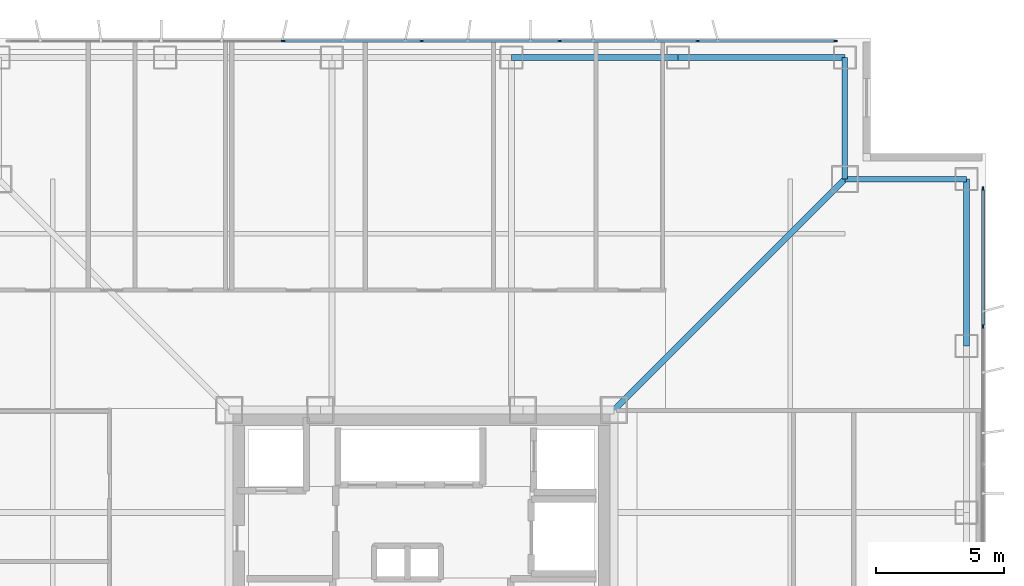
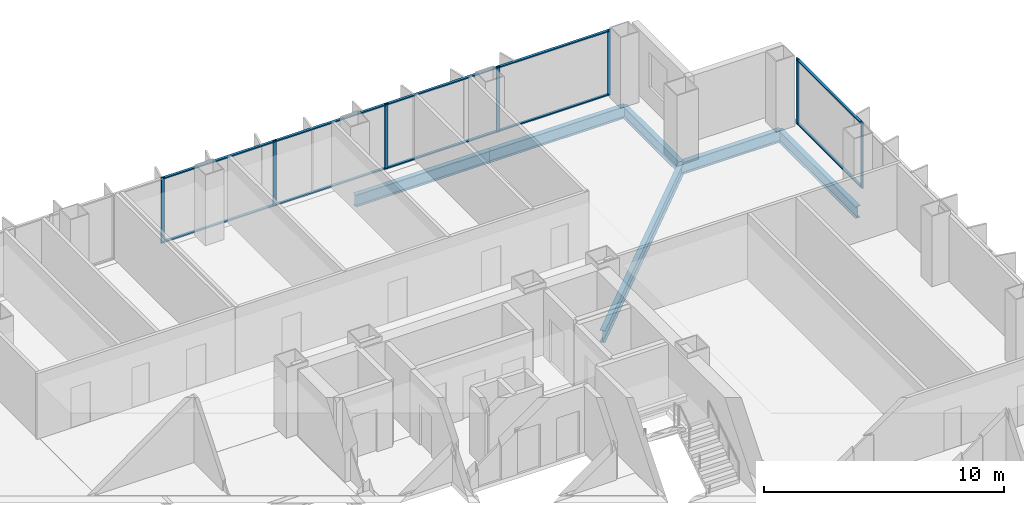
# One storey, part 11 of 18: 17 members, 6 beams, 2 elements without a shape of their own.
"""IFC4 building model written with IfcOpenShell, lengths in metres."""

from ifc_helpers import new_model, si_unit, direction, frame, origin, origin_2d, place, context, subcontext, project, spatial, rectangle, i_section, extrude, material, layer, layer_set, material_profile, profile_set, type_object, element, aggregate, save


model = new_model("IFC4")

# Units and contexts
model_context = context("Model", 3, precision=1e-05, world=origin(), true_north=direction((0.0, 1.0)))
body_context = subcontext(model_context, "Body", "Model", "MODEL_VIEW")
ifc_project = project(units=[si_unit("LENGTHUNIT", "METRE"), si_unit("AREAUNIT", "SQUARE_METRE"), si_unit("VOLUMEUNIT", "CUBIC_METRE"), si_unit("PLANEANGLEUNIT", "RADIAN"), si_unit("MASSUNIT", "GRAM", prefix="KILO")], contexts=[model_context])

# Site, building, storey
site_placement = place(None, origin())
site = spatial("IfcSite", under=ifc_project, at=site_placement, CompositionType="ELEMENT")
building_placement = place(site_placement, origin())
building = spatial("IfcBuilding", under=site, at=building_placement, Name="Trevonay Congress Spire", CompositionType="ELEMENT")
storey_placement = place(building_placement, frame((0.0, 0.0, 148.0)))
storey = spatial("IfcBuildingStorey", under=building, at=storey_placement, Name="L38", CompositionType="ELEMENT", Elevation=148.0)

# Beams
ifc_material_1 = material(Name="Steel ASTM A572 Grade 50", Category="steel")
ifc_material_profile_1 = material_profile(ifc_material_1, i_section(OverallWidth=0.22998046875, OverallDepth=0.616943359375, WebThickness=0.01318359375, FlangeThickness=0.022216796875, FilletRadius=0.01611328125, at=origin_2d()), Name="W610x140")
ifc_profile_set_1 = profile_set([ifc_material_profile_1], Name="Steel ASTM A572 Grade 50")
beam_type_1 = type_object("IfcBeamType", Name="BM-GIRD-W610X140", PredefinedType="BEAM", material=ifc_profile_set_1)
beam_placement = place(storey_placement, frame((7.5, 7.5, -0.548583984375), z_axis=(0.707106781187, 0.707106781187, 0.0), x_axis=(-0.707106781187, 0.707106781187, 0.0)))
element("IfcBeam", 1, at=beam_placement, inside=storey, type_object=beam_type_1, Name="L38 structural beam BM-L38-CDNE", PredefinedType="BEAM", context=body_context, shape_type="SweptSolid", body=[
    extrude(i_section(OverallWidth=0.22998046875, OverallDepth=0.616943359375, WebThickness=0.01318359375, FlangeThickness=0.022216796875, FilletRadius=0.01611328125, at=origin_2d()), origin(), (0.0, 0.0, 1.0), 12.72802734375),
])
ifc_material_profile_2 = material_profile(ifc_material_1, i_section(OverallWidth=0.22802734375, OverallDepth=0.60791015625, WebThickness=0.01123046875, FlangeThickness=0.017333984375, FilletRadius=0.01611328125, at=origin_2d()), Name="W610x113")
ifc_profile_set_2 = profile_set([ifc_material_profile_2], Name="Steel ASTM A572 Grade 50")
beam_type_2 = type_object("IfcBeamType", Name="BM-RING-W610X113", PredefinedType="BEAM", material=ifc_profile_set_2)
for number, where, z_axis, x_axis, name in (
    (2, (3.5, 21.25, -0.5439453125), (1.0, 0.0, 0.0), (0.0, 1.0, 0.0), "L38 structural beam BM-L38-PN4"),
    (3, (10.0, 21.25, -0.5439453125), (1.0, 0.0, 0.0), (0.0, 1.0, 0.0), "L38 structural beam BM-L38-PN5"),
    (4, (21.25, 10.0, -0.5439453125), (0.0, 1.0, 0.0), (-1.0, 0.0, 0.0), "L38 structural beam BM-L38-PE5"),
):
    element("IfcBeam", number, at=place(storey_placement, frame(where, z_axis=z_axis, x_axis=x_axis)), inside=storey, type_object=beam_type_2, Name=name, PredefinedType="BEAM", context=body_context, shape_type="SweptSolid", body=[
        extrude(i_section(OverallWidth=0.22802734375, OverallDepth=0.60791015625, WebThickness=0.01123046875, FlangeThickness=0.017333984375, FilletRadius=0.01611328125, at=origin_2d()), origin(), (0.0, 0.0, 1.0), 6.5),
    ])
for number, where, z_axis, x_axis, name in (
    (5, (16.5, 21.25, -0.5439453125), (0.0, -1.0, 0.0), (1.0, 0.0, 0.0), "L38 structural beam BM-L38-N1NE"),
    (6, (21.25, 16.5, -0.5439453125), (-1.0, 0.0, 0.0), (0.0, -1.0, 0.0), "L38 structural beam BM-L38-N2NE"),
):
    element("IfcBeam", number, at=place(storey_placement, frame(where, z_axis=z_axis, x_axis=x_axis)), inside=storey, type_object=beam_type_2, Name=name, PredefinedType="BEAM", context=body_context, shape_type="SweptSolid", body=[
        extrude(i_section(OverallWidth=0.22802734375, OverallDepth=0.60791015625, WebThickness=0.01123046875, FlangeThickness=0.017333984375, FilletRadius=0.01611328125, at=origin_2d()), origin(), (0.0, 0.0, 1.0), 4.75),
    ])

# Curtain wall, members
ifc_material_2 = material(Name="Pale Anodised Aluminium EN AW-6063-T6", Category="aluminium")
ifc_layer = layer(ifc_material_2, 0.175048828125, Name="Pale Anodised Aluminium EN AW-6063-T6")
ifc_layer_set = layer_set([ifc_layer], Name="Pale Anodised Aluminium EN AW-6063-T6")
curtain_wall_type = type_object("IfcCurtainWallType", Name="CW-SYS03-CONGRESS-PALE-METAL", PredefinedType="NOTDEFINED", material=ifc_layer_set)
curtain_wall_1_placement = place(storey_placement, origin())
curtain_wall_1 = element("IfcCurtainWall", 7, at=curtain_wall_1_placement, inside=storey, type_object=curtain_wall_type, Name="L38 N unitised curtain wall", PredefinedType="NOTDEFINED")
ifc_material_profile_3 = material_profile(ifc_material_2, rectangle(XDim=0.06005859375, YDim=0.159912109375, at=origin_2d()), Name="CW-MULLION-160-ALUMINIUM")
ifc_profile_set_3 = profile_set([ifc_material_profile_3], Name="Pale Anodised Aluminium EN AW-6063-T6")
member_type_1 = type_object("IfcMemberType", Name="CW-MULLION-160-ALUMINIUM", PredefinedType="MULLION", material=ifc_profile_set_3)
member_1_placement = place(storey_placement, frame((-5.38330078125, 21.8798828125, 0.0), z_axis=(0.0, 0.0, 1.0), x_axis=(0.0, 1.0, 0.0)))
member_1 = element("IfcMember", 8, at=member_1_placement, type_object=member_type_1, Name="CW03 mullion 3", PredefinedType="MULLION", context=body_context, shape_type="SweptSolid", body=[
    extrude(rectangle(XDim=0.06005859375, YDim=0.159912109375, at=origin_2d()), origin(), (0.0, 0.0, 1.0), 3.360107421875),
])
member_2_placement = place(storey_placement, frame((0.0, 21.8798828125, 0.0), z_axis=(0.0, 0.0, 1.0), x_axis=(0.0, 1.0, 0.0)))
member_2 = element("IfcMember", 9, at=member_2_placement, type_object=member_type_1, Name="CW03 mullion 4", PredefinedType="MULLION", context=body_context, shape_type="SweptSolid", body=[
    extrude(rectangle(XDim=0.06005859375, YDim=0.159912109375, at=origin_2d()), origin(), (0.0, 0.0, 1.0), 3.360107421875),
])
member_3_placement = place(storey_placement, frame((5.38330078125, 21.8798828125, 0.0), z_axis=(0.0, 0.0, 1.0), x_axis=(0.0, 1.0, 0.0)))
member_3 = element("IfcMember", 10, at=member_3_placement, type_object=member_type_1, Name="CW03 mullion 5", PredefinedType="MULLION", context=body_context, shape_type="SweptSolid", body=[
    extrude(rectangle(XDim=0.06005859375, YDim=0.159912109375, at=origin_2d()), origin(), (0.0, 0.0, 1.0), 3.360107421875),
])
member_4_placement = place(storey_placement, frame((10.7666015625, 21.8798828125, 0.0), z_axis=(0.0, 0.0, 1.0), x_axis=(0.0, 1.0, 0.0)))
member_4 = element("IfcMember", 11, at=member_4_placement, type_object=member_type_1, Name="CW03 mullion 6", PredefinedType="MULLION", context=body_context, shape_type="SweptSolid", body=[
    extrude(rectangle(XDim=0.06005859375, YDim=0.159912109375, at=origin_2d()), origin(), (0.0, 0.0, 1.0), 3.360107421875),
])
member_5_placement = place(storey_placement, frame((16.1201171875, 21.8798828125, 0.0), z_axis=(0.0, 0.0, 1.0), x_axis=(0.0, 1.0, 0.0)))
member_5 = element("IfcMember", 12, at=member_5_placement, type_object=member_type_1, Name="CW03 mullion 7", PredefinedType="MULLION", context=body_context, shape_type="SweptSolid", body=[
    extrude(rectangle(XDim=0.06005859375, YDim=0.159912109375, at=origin_2d()), origin(), (0.0, 0.0, 1.0), 3.360107421875),
])

curtain_wall_2_placement = place(storey_placement, origin())
curtain_wall_2 = element("IfcCurtainWall", 13, at=curtain_wall_2_placement, inside=storey, type_object=curtain_wall_type, Name="L38 E unitised curtain wall", PredefinedType="NOTDEFINED")
member_6_placement = place(storey_placement, frame((21.8798828125, 10.7666015625, 0.0), z_axis=(0.0, 0.0, 1.0), x_axis=(-1.0, 0.0, 0.0)))
member_6 = element("IfcMember", 14, at=member_6_placement, type_object=member_type_1, Name="CW03 mullion 6", PredefinedType="MULLION", context=body_context, shape_type="SweptSolid", body=[
    extrude(rectangle(XDim=0.06005859375, YDim=0.159912109375, at=origin_2d()), origin(), (0.0, 0.0, 1.0), 3.360107421875),
])
member_7_placement = place(storey_placement, frame((21.8798828125, 16.1201171875, 0.0), z_axis=(0.0, 0.0, 1.0), x_axis=(-1.0, 0.0, 0.0)))
member_7 = element("IfcMember", 15, at=member_7_placement, type_object=member_type_1, Name="CW03 mullion 7", PredefinedType="MULLION", context=body_context, shape_type="SweptSolid", body=[
    extrude(rectangle(XDim=0.06005859375, YDim=0.159912109375, at=origin_2d()), origin(), (0.0, 0.0, 1.0), 3.360107421875),
])

# Member
ifc_material_profile_4 = material_profile(ifc_material_2, rectangle(XDim=0.1201171875, YDim=0.06005859375, at=origin_2d()), Name="CW-TRANSOM-120-ALUMINIUM")
ifc_profile_set_4 = profile_set([ifc_material_profile_4], Name="Pale Anodised Aluminium EN AW-6063-T6")
member_type_2 = type_object("IfcMemberType", Name="CW-TRANSOM-120-ALUMINIUM", PredefinedType="USERDEFINED", material=ifc_profile_set_4)
member_8_placement = place(storey_placement, frame((-5.353271484375, 21.8798828125, 0.06005859375), z_axis=(1.0, 0.0, 0.0), x_axis=(0.0, 1.0, 0.0)))
member_8 = element("IfcMember", 16, at=member_8_placement, type_object=member_type_2, Name="CW03 transom 3.1", ObjectType="TRANSOM", PredefinedType="USERDEFINED", context=body_context, shape_type="SweptSolid", body=[
    extrude(rectangle(XDim=0.1201171875, YDim=0.06005859375, at=origin_2d()), origin(), (0.0, 0.0, 1.0), 5.3232421875),
])

member_9_placement = place(storey_placement, frame((-5.353271484375, 21.8798828125, 3.300048828125), z_axis=(1.0, 0.0, 0.0), x_axis=(0.0, 1.0, 0.0)))
member_9 = element("IfcMember", 17, at=member_9_placement, type_object=member_type_2, Name="CW03 transom 3.2", ObjectType="TRANSOM", PredefinedType="USERDEFINED", context=body_context, shape_type="SweptSolid", body=[
    extrude(rectangle(XDim=0.1201171875, YDim=0.06005859375, at=origin_2d()), origin(), (0.0, 0.0, 1.0), 5.3232421875),
])

member_10_placement = place(storey_placement, frame((0.030029296875, 21.8798828125, 0.06005859375), z_axis=(1.0, 0.0, 0.0), x_axis=(0.0, 1.0, 0.0)))
member_10 = element("IfcMember", 18, at=member_10_placement, type_object=member_type_2, Name="CW03 transom 4.1", ObjectType="TRANSOM", PredefinedType="USERDEFINED", context=body_context, shape_type="SweptSolid", body=[
    extrude(rectangle(XDim=0.1201171875, YDim=0.06005859375, at=origin_2d()), origin(), (0.0, 0.0, 1.0), 5.3232421875),
])

member_11_placement = place(storey_placement, frame((0.030029296875, 21.8798828125, 3.300048828125), z_axis=(1.0, 0.0, 0.0), x_axis=(0.0, 1.0, 0.0)))
member_11 = element("IfcMember", 19, at=member_11_placement, type_object=member_type_2, Name="CW03 transom 4.2", ObjectType="TRANSOM", PredefinedType="USERDEFINED", context=body_context, shape_type="SweptSolid", body=[
    extrude(rectangle(XDim=0.1201171875, YDim=0.06005859375, at=origin_2d()), origin(), (0.0, 0.0, 1.0), 5.3232421875),
])

member_12_placement = place(storey_placement, frame((5.413330078125, 21.8798828125, 0.06005859375), z_axis=(1.0, 0.0, 0.0), x_axis=(0.0, 1.0, 0.0)))
member_12 = element("IfcMember", 20, at=member_12_placement, type_object=member_type_2, Name="CW03 transom 5.1", ObjectType="TRANSOM", PredefinedType="USERDEFINED", context=body_context, shape_type="SweptSolid", body=[
    extrude(rectangle(XDim=0.1201171875, YDim=0.06005859375, at=origin_2d()), origin(), (0.0, 0.0, 1.0), 5.3232421875),
])

member_13_placement = place(storey_placement, frame((5.413330078125, 21.8798828125, 3.300048828125), z_axis=(1.0, 0.0, 0.0), x_axis=(0.0, 1.0, 0.0)))
member_13 = element("IfcMember", 21, at=member_13_placement, type_object=member_type_2, Name="CW03 transom 5.2", ObjectType="TRANSOM", PredefinedType="USERDEFINED", context=body_context, shape_type="SweptSolid", body=[
    extrude(rectangle(XDim=0.1201171875, YDim=0.06005859375, at=origin_2d()), origin(), (0.0, 0.0, 1.0), 5.3232421875),
])

member_14_placement = place(storey_placement, frame((10.796630859375, 21.8798828125, 0.06005859375), z_axis=(1.0, 0.0, 0.0), x_axis=(0.0, 1.0, 0.0)))
member_14 = element("IfcMember", 22, at=member_14_placement, type_object=member_type_2, Name="CW03 transom 6.1", ObjectType="TRANSOM", PredefinedType="USERDEFINED", context=body_context, shape_type="SweptSolid", body=[
    extrude(rectangle(XDim=0.1201171875, YDim=0.06005859375, at=origin_2d()), origin(), (0.0, 0.0, 1.0), 5.29345703125),
])

member_15_placement = place(storey_placement, frame((10.796630859375, 21.8798828125, 3.300048828125), z_axis=(1.0, 0.0, 0.0), x_axis=(0.0, 1.0, 0.0)))
member_15 = element("IfcMember", 23, at=member_15_placement, type_object=member_type_2, Name="CW03 transom 6.2", ObjectType="TRANSOM", PredefinedType="USERDEFINED", context=body_context, shape_type="SweptSolid", body=[
    extrude(rectangle(XDim=0.1201171875, YDim=0.06005859375, at=origin_2d()), origin(), (0.0, 0.0, 1.0), 5.29345703125),
])

aggregate(curtain_wall_1, [member_1, member_2, member_3, member_4, member_5, member_8, member_9, member_10, member_11, member_12, member_13, member_14, member_15])

member_16_placement = place(storey_placement, frame((21.8798828125, 10.796630859375, 0.06005859375), z_axis=(0.0, 1.0, 0.0), x_axis=(-1.0, 0.0, 0.0)))
member_16 = element("IfcMember", 24, at=member_16_placement, type_object=member_type_2, Name="CW03 transom 6.1", ObjectType="TRANSOM", PredefinedType="USERDEFINED", context=body_context, shape_type="SweptSolid", body=[
    extrude(rectangle(XDim=0.1201171875, YDim=0.06005859375, at=origin_2d()), origin(), (0.0, 0.0, 1.0), 5.29345703125),
])

member_17_placement = place(storey_placement, frame((21.8798828125, 10.796630859375, 3.300048828125), z_axis=(0.0, 1.0, 0.0), x_axis=(-1.0, 0.0, 0.0)))
member_17 = element("IfcMember", 25, at=member_17_placement, type_object=member_type_2, Name="CW03 transom 6.2", ObjectType="TRANSOM", PredefinedType="USERDEFINED", context=body_context, shape_type="SweptSolid", body=[
    extrude(rectangle(XDim=0.1201171875, YDim=0.06005859375, at=origin_2d()), origin(), (0.0, 0.0, 1.0), 5.29345703125),
])

aggregate(curtain_wall_2, [member_6, member_7, member_16, member_17])

save(model, "model.ifc")
